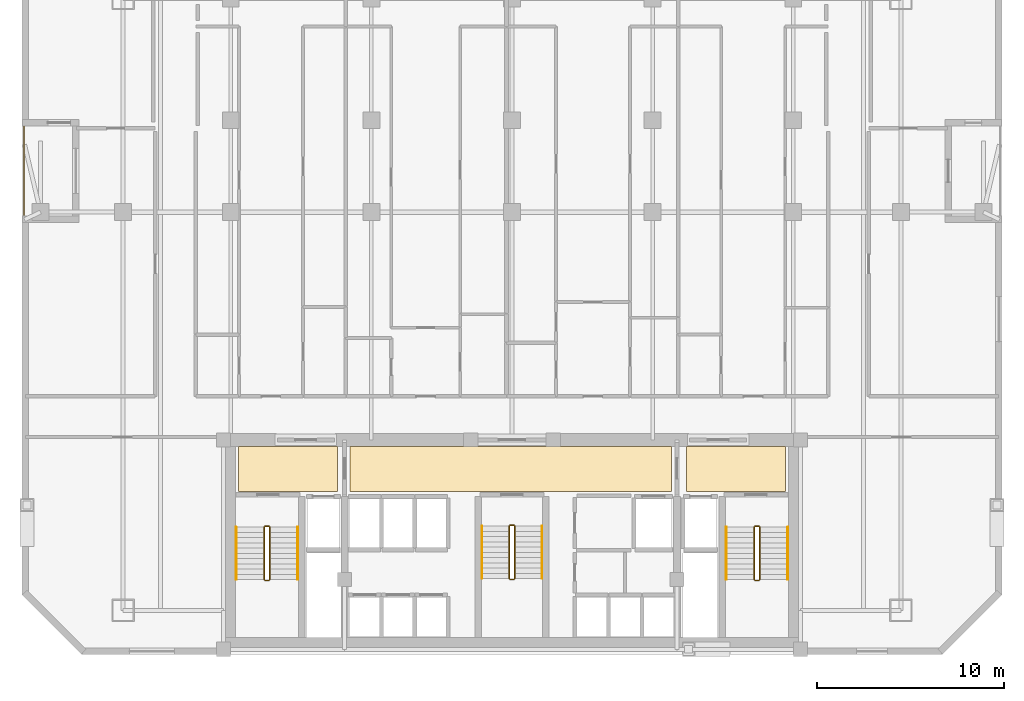
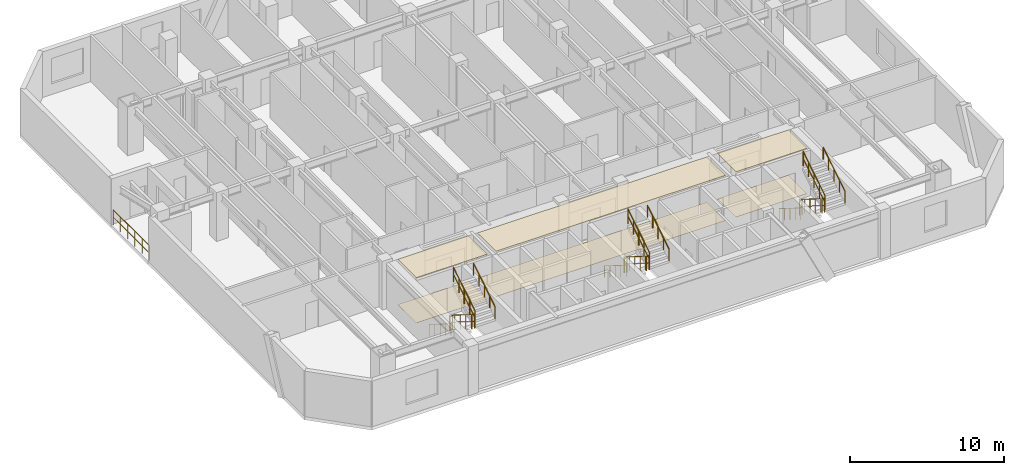
# One storey, part 8 of 9: 19 railings, 6 coverings.
"""IFC4 building model written with IfcOpenShell, lengths in metres."""

from ifc_helpers import new_model, si_unit, direction, frame, origin, origin_2d, place, context, subcontext, project, spatial, polyline, circle, outline, extrude, material, layer, layer_set, type_object, element, save


model = new_model("IFC4")

# Units and contexts
model_context = context("Model", 3, precision=1e-05, world=origin(), true_north=direction((0.0, 1.0)))
body_context = subcontext(model_context, "Body", "Model", "MODEL_VIEW")
ifc_project = project(units=[si_unit("LENGTHUNIT", "METRE"), si_unit("AREAUNIT", "SQUARE_METRE"), si_unit("VOLUMEUNIT", "CUBIC_METRE"), si_unit("PLANEANGLEUNIT", "RADIAN"), si_unit("MASSUNIT", "GRAM", prefix="KILO")], contexts=[model_context])

# Site, building, storey
site_placement = place(None, origin())
site = spatial("IfcSite", under=ifc_project, at=site_placement, CompositionType="ELEMENT")
building_placement = place(site_placement, origin())
building = spatial("IfcBuilding", under=site, at=building_placement, Name="Ventersveld Concourse Tower", CompositionType="ELEMENT")
storey_placement = place(building_placement, frame((0.0, 0.0, 100.300048828125)))
storey = spatial("IfcBuildingStorey", under=building, at=storey_placement, Name="L24", CompositionType="ELEMENT", Elevation=100.300048828125)

# Coverings
ifc_material_1 = material(Name="Mineral-fibre acoustic ceiling tile", Category="gypsum")
ifc_layer_1 = layer(ifc_material_1, 0.0400390625)
ifc_layer_set_1 = layer_set([ifc_layer_1], Name="Mineral-fibre acoustic ceiling tile")
covering_type_1 = type_object("IfcCoveringType", Name="COV-CEIL-ACOUSTIC", PredefinedType="CEILING", material=ifc_layer_set_1)
covering_1_placement = place(storey_placement, frame((0.0, 0.0, 3.56005859375)))
element("IfcCovering", 1, at=covering_1_placement, inside=storey, type_object=covering_type_1, Name="L24 North Lift Lobby Acoustic Ceiling", PredefinedType="CEILING", context=body_context, shape_type="SweptSolid", body=[
    extrude(outline(polyline([(20.10009765625, 8.699951171875), (37.25, 8.699951171875), (37.25, 11.10009765625), (20.10009765625, 11.10009765625), (20.10009765625, 8.699951171875)])), origin(), (0.0, 0.0, 1.0), 0.039794921875),
])
covering_2_placement = place(storey_placement, frame((0.0, 0.0, 3.56005859375)))
element("IfcCovering", 2, at=covering_2_placement, inside=storey, type_object=covering_type_1, Name="L24 West Firefighting Lobby Acoustic Ceiling", PredefinedType="CEILING", context=body_context, shape_type="SweptSolid", body=[
    extrude(outline(polyline([(14.14990234375, 8.699951171875), (19.449951171875, 8.699951171875), (19.449951171875, 11.10009765625), (14.14990234375, 11.10009765625), (14.14990234375, 8.699951171875)])), origin(), (0.0, 0.0, 1.0), 0.039794921875),
])
covering_3_placement = place(storey_placement, frame((0.0, 0.0, 3.56005859375)))
element("IfcCovering", 3, at=covering_3_placement, inside=storey, type_object=covering_type_1, Name="L24 East Firefighting Lobby Acoustic Ceiling", PredefinedType="CEILING", context=body_context, shape_type="SweptSolid", body=[
    extrude(outline(polyline([(38.050048828125, 8.699951171875), (43.35009765625, 8.699951171875), (43.35009765625, 11.10009765625), (38.050048828125, 11.10009765625), (38.050048828125, 8.699951171875)])), origin(), (0.0, 0.0, 1.0), 0.039794921875),
])
ifc_material_2 = material(Name="Polished Highveld granite terrazzo", Category="masonry")
ifc_layer_2 = layer(ifc_material_2, 0.02001953125)
ifc_layer_set_2 = layer_set([ifc_layer_2], Name="Polished Highveld granite terrazzo")
covering_type_2 = type_object("IfcCoveringType", Name="COV-FLOOR-TERRAZZO", PredefinedType="FLOORING", material=ifc_layer_set_2)
covering_4_placement = place(storey_placement, origin())
element("IfcCovering", 4, at=covering_4_placement, inside=storey, type_object=covering_type_2, Name="L24 North Lift Lobby Terrazzo Flooring", PredefinedType="FLOORING", context=body_context, shape_type="SweptSolid", body=[
    extrude(outline(polyline([(20.10009765625, 8.699951171875), (37.25, 8.699951171875), (37.25, 11.10009765625), (20.10009765625, 11.10009765625), (20.10009765625, 8.699951171875)])), origin(), (0.0, 0.0, 1.0), 0.02001953125),
])
covering_5_placement = place(storey_placement, origin())
element("IfcCovering", 5, at=covering_5_placement, inside=storey, type_object=covering_type_2, Name="L24 West Firefighting Lobby Terrazzo Flooring", PredefinedType="FLOORING", context=body_context, shape_type="SweptSolid", body=[
    extrude(outline(polyline([(14.14990234375, 8.699951171875), (19.449951171875, 8.699951171875), (19.449951171875, 11.10009765625), (14.14990234375, 11.10009765625), (14.14990234375, 8.699951171875)])), origin(), (0.0, 0.0, 1.0), 0.02001953125),
])
covering_6_placement = place(storey_placement, origin())
element("IfcCovering", 6, at=covering_6_placement, inside=storey, type_object=covering_type_2, Name="L24 East Firefighting Lobby Terrazzo Flooring", PredefinedType="FLOORING", context=body_context, shape_type="SweptSolid", body=[
    extrude(outline(polyline([(38.050048828125, 8.699951171875), (43.35009765625, 8.699951171875), (43.35009765625, 11.10009765625), (38.050048828125, 11.10009765625), (38.050048828125, 8.699951171875)])), origin(), (0.0, 0.0, 1.0), 0.02001953125),
])

# Railings
ifc_material_3 = material(Name="Brushed stainless steel 316", Category="steel")
railing_type_1 = type_object("IfcRailingType", Name="GD-BAL-115", PredefinedType="GUARDRAIL", material=ifc_material_3)
railing_1_placement = place(storey_placement, frame((15.530029296875, 6.800048828125, 0.175048828125)))
element("IfcRailing", 7, at=railing_1_placement, inside=storey, type_object=railing_type_1, Name="L24 ST-01 stair guard 1", PredefinedType="GUARDRAIL", context=body_context, shape_type="SweptSolid", body=[
    extrude(circle(Radius=0.02392578125, at=origin_2d()), frame((0.0, 0.0, 1.1259765625), z_axis=(0.0, -0.848002457836, 0.529992293815), x_axis=(1.0, 0.0, 0.0)), (0.0, 0.0, 1.0), 3.302001953125),
    extrude(circle(Radius=0.01611328125, at=origin_2d()), frame((0.0, 0.0, 0.574951171875), z_axis=(0.0, -0.848002457836, 0.529992293815), x_axis=(1.0, 0.0, 0.0)), (0.0, 0.0, 1.0), 3.302001953125),
    extrude(circle(Radius=0.02099609375, at=origin_2d()), origin(), (0.0, 0.0, 1.0), 1.101806640625),
    extrude(circle(Radius=0.02099609375, at=origin_2d()), frame((0.0, -0.699951171875, 0.4375)), (0.0, 0.0, 1.0), 1.101806640625),
    extrude(circle(Radius=0.02099609375, at=origin_2d()), frame((0.0, -1.39990234375, 0.875)), (0.0, 0.0, 1.0), 1.101806640625),
    extrude(circle(Radius=0.02099609375, at=origin_2d()), frame((0.0, -2.10009765625, 1.3125)), (0.0, 0.0, 1.0), 1.101806640625),
    extrude(circle(Radius=0.02099609375, at=origin_2d()), frame((0.0, -2.800048828125, 1.75)), (0.0, 0.0, 1.0), 1.101806640625),
])
railing_2_placement = place(storey_placement, frame((15.580078125, 3.949951171875, 1.925048828125)))
element("IfcRailing", 8, at=railing_2_placement, inside=storey, type_object=railing_type_1, Name="L24 ST-01 stair guard 2", PredefinedType="GUARDRAIL", context=body_context, shape_type="SweptSolid", body=[
    extrude(circle(Radius=0.02392578125, at=origin_2d()), frame((0.0, 0.0, 1.1259765625), z_axis=(1.0, 0.0, 0.0), x_axis=(0.0, 1.0, 0.0)), (0.0, 0.0, 1.0), 0.199951171875),
    extrude(circle(Radius=0.01611328125, at=origin_2d()), frame((0.0, 0.0, 0.574951171875), z_axis=(1.0, 0.0, 0.0), x_axis=(0.0, 1.0, 0.0)), (0.0, 0.0, 1.0), 0.199951171875),
    extrude(circle(Radius=0.02099609375, at=origin_2d()), origin(), (0.0, 0.0, 1.0), 1.101806640625),
    extrude(circle(Radius=0.02099609375, at=origin_2d()), frame((0.199951171875, 0.0, 0.0)), (0.0, 0.0, 1.0), 1.101806640625),
])
railing_3_placement = place(storey_placement, frame((15.830078125, 4.0, 2.099853515625)))
element("IfcRailing", 9, at=railing_3_placement, inside=storey, type_object=railing_type_1, Name="L24 ST-01 stair guard 3", PredefinedType="GUARDRAIL", context=body_context, shape_type="SweptSolid", body=[
    extrude(circle(Radius=0.02392578125, at=origin_2d()), frame((0.0, 0.0, 1.1259765625), z_axis=(0.0, 0.848002457836, 0.529992293815), x_axis=(-1.0, 0.0, 0.0)), (0.0, 0.0, 1.0), 3.302001953125),
    extrude(circle(Radius=0.01611328125, at=origin_2d()), frame((0.0, 0.0, 0.574951171875), z_axis=(0.0, 0.848002457836, 0.529992293815), x_axis=(-1.0, 0.0, 0.0)), (0.0, 0.0, 1.0), 3.302001953125),
    extrude(circle(Radius=0.02099609375, at=origin_2d()), origin(), (0.0, 0.0, 1.0), 1.101806640625),
    extrude(circle(Radius=0.02099609375, at=origin_2d()), frame((0.0, 0.699951171875, 0.4375)), (0.0, 0.0, 1.0), 1.101806640625),
    extrude(circle(Radius=0.02099609375, at=origin_2d()), frame((0.0, 1.39990234375, 0.875)), (0.0, 0.0, 1.0), 1.101806640625),
    extrude(circle(Radius=0.02099609375, at=origin_2d()), frame((0.0, 2.10009765625, 1.3125)), (0.0, 0.0, 1.0), 1.101806640625),
    extrude(circle(Radius=0.02099609375, at=origin_2d()), frame((0.0, 2.800048828125, 1.75)), (0.0, 0.0, 1.0), 1.101806640625),
])
railing_4_placement = place(storey_placement, frame((15.580078125, 6.85009765625, 0.0)))
element("IfcRailing", 10, at=railing_4_placement, inside=storey, type_object=railing_type_1, Name="L24 ST-01 stair guard 4", PredefinedType="GUARDRAIL", context=body_context, shape_type="SweptSolid", body=[
    extrude(circle(Radius=0.02392578125, at=origin_2d()), frame((0.0, 0.0, 1.1259765625), z_axis=(1.0, 0.0, 0.0), x_axis=(0.0, 1.0, 0.0)), (0.0, 0.0, 1.0), 0.199951171875),
    extrude(circle(Radius=0.01611328125, at=origin_2d()), frame((0.0, 0.0, 0.574951171875), z_axis=(1.0, 0.0, 0.0), x_axis=(0.0, 1.0, 0.0)), (0.0, 0.0, 1.0), 0.199951171875),
    extrude(circle(Radius=0.02099609375, at=origin_2d()), origin(), (0.0, 0.0, 1.0), 1.101806640625),
    extrude(circle(Radius=0.02099609375, at=origin_2d()), frame((0.199951171875, 0.0, 0.0)), (0.0, 0.0, 1.0), 1.101806640625),
])
railing_5_placement = place(storey_placement, frame((41.669921875, 6.800048828125, 0.175048828125)))
element("IfcRailing", 11, at=railing_5_placement, inside=storey, type_object=railing_type_1, Name="L24 ST-02 stair guard 1", PredefinedType="GUARDRAIL", context=body_context, shape_type="SweptSolid", body=[
    extrude(circle(Radius=0.02392578125, at=origin_2d()), frame((0.0, 0.0, 1.1259765625), z_axis=(0.0, -0.848002457836, 0.529992293815), x_axis=(1.0, 0.0, 0.0)), (0.0, 0.0, 1.0), 3.302001953125),
    extrude(circle(Radius=0.01611328125, at=origin_2d()), frame((0.0, 0.0, 0.574951171875), z_axis=(0.0, -0.848002457836, 0.529992293815), x_axis=(1.0, 0.0, 0.0)), (0.0, 0.0, 1.0), 3.302001953125),
    extrude(circle(Radius=0.02099609375, at=origin_2d()), origin(), (0.0, 0.0, 1.0), 1.101806640625),
    extrude(circle(Radius=0.02099609375, at=origin_2d()), frame((0.0, -0.699951171875, 0.4375)), (0.0, 0.0, 1.0), 1.101806640625),
    extrude(circle(Radius=0.02099609375, at=origin_2d()), frame((0.0, -1.39990234375, 0.875)), (0.0, 0.0, 1.0), 1.101806640625),
    extrude(circle(Radius=0.02099609375, at=origin_2d()), frame((0.0, -2.10009765625, 1.3125)), (0.0, 0.0, 1.0), 1.101806640625),
    extrude(circle(Radius=0.02099609375, at=origin_2d()), frame((0.0, -2.800048828125, 1.75)), (0.0, 0.0, 1.0), 1.101806640625),
])
railing_6_placement = place(storey_placement, frame((41.719970703125, 3.949951171875, 1.925048828125)))
element("IfcRailing", 12, at=railing_6_placement, inside=storey, type_object=railing_type_1, Name="L24 ST-02 stair guard 2", PredefinedType="GUARDRAIL", context=body_context, shape_type="SweptSolid", body=[
    extrude(circle(Radius=0.02392578125, at=origin_2d()), frame((0.0, 0.0, 1.1259765625), z_axis=(1.0, 0.0, 0.0), x_axis=(0.0, 1.0, 0.0)), (0.0, 0.0, 1.0), 0.199951171875),
    extrude(circle(Radius=0.01611328125, at=origin_2d()), frame((0.0, 0.0, 0.574951171875), z_axis=(1.0, 0.0, 0.0), x_axis=(0.0, 1.0, 0.0)), (0.0, 0.0, 1.0), 0.199951171875),
    extrude(circle(Radius=0.02099609375, at=origin_2d()), origin(), (0.0, 0.0, 1.0), 1.101806640625),
    extrude(circle(Radius=0.02099609375, at=origin_2d()), frame((0.199951171875, 0.0, 0.0)), (0.0, 0.0, 1.0), 1.101806640625),
])
railing_7_placement = place(storey_placement, frame((41.969970703125, 4.0, 2.099853515625)))
element("IfcRailing", 13, at=railing_7_placement, inside=storey, type_object=railing_type_1, Name="L24 ST-02 stair guard 3", PredefinedType="GUARDRAIL", context=body_context, shape_type="SweptSolid", body=[
    extrude(circle(Radius=0.02392578125, at=origin_2d()), frame((0.0, 0.0, 1.1259765625), z_axis=(0.0, 0.848002457836, 0.529992293815), x_axis=(-1.0, 0.0, 0.0)), (0.0, 0.0, 1.0), 3.302001953125),
    extrude(circle(Radius=0.01611328125, at=origin_2d()), frame((0.0, 0.0, 0.574951171875), z_axis=(0.0, 0.848002457836, 0.529992293815), x_axis=(-1.0, 0.0, 0.0)), (0.0, 0.0, 1.0), 3.302001953125),
    extrude(circle(Radius=0.02099609375, at=origin_2d()), origin(), (0.0, 0.0, 1.0), 1.101806640625),
    extrude(circle(Radius=0.02099609375, at=origin_2d()), frame((0.0, 0.699951171875, 0.4375)), (0.0, 0.0, 1.0), 1.101806640625),
    extrude(circle(Radius=0.02099609375, at=origin_2d()), frame((0.0, 1.39990234375, 0.875)), (0.0, 0.0, 1.0), 1.101806640625),
    extrude(circle(Radius=0.02099609375, at=origin_2d()), frame((0.0, 2.10009765625, 1.3125)), (0.0, 0.0, 1.0), 1.101806640625),
    extrude(circle(Radius=0.02099609375, at=origin_2d()), frame((0.0, 2.800048828125, 1.75)), (0.0, 0.0, 1.0), 1.101806640625),
])
railing_8_placement = place(storey_placement, frame((41.719970703125, 6.85009765625, 0.0)))
element("IfcRailing", 14, at=railing_8_placement, inside=storey, type_object=railing_type_1, Name="L24 ST-02 stair guard 4", PredefinedType="GUARDRAIL", context=body_context, shape_type="SweptSolid", body=[
    extrude(circle(Radius=0.02392578125, at=origin_2d()), frame((0.0, 0.0, 1.1259765625), z_axis=(1.0, 0.0, 0.0), x_axis=(0.0, 1.0, 0.0)), (0.0, 0.0, 1.0), 0.199951171875),
    extrude(circle(Radius=0.01611328125, at=origin_2d()), frame((0.0, 0.0, 0.574951171875), z_axis=(1.0, 0.0, 0.0), x_axis=(0.0, 1.0, 0.0)), (0.0, 0.0, 1.0), 0.199951171875),
    extrude(circle(Radius=0.02099609375, at=origin_2d()), origin(), (0.0, 0.0, 1.0), 1.101806640625),
    extrude(circle(Radius=0.02099609375, at=origin_2d()), frame((0.199951171875, 0.0, 0.0)), (0.0, 0.0, 1.0), 1.101806640625),
])
railing_9_placement = place(storey_placement, frame((28.60009765625, 6.85009765625, 0.175048828125)))
element("IfcRailing", 15, at=railing_9_placement, inside=storey, type_object=railing_type_1, Name="L24 ST-03 stair guard 1", PredefinedType="GUARDRAIL", context=body_context, shape_type="SweptSolid", body=[
    extrude(circle(Radius=0.02392578125, at=origin_2d()), frame((0.0, 0.0, 1.1259765625), z_axis=(0.0, -0.848002457836, 0.529992293815), x_axis=(1.0, 0.0, 0.0)), (0.0, 0.0, 1.0), 3.302001953125),
    extrude(circle(Radius=0.01611328125, at=origin_2d()), frame((0.0, 0.0, 0.574951171875), z_axis=(0.0, -0.848002457836, 0.529992293815), x_axis=(1.0, 0.0, 0.0)), (0.0, 0.0, 1.0), 3.302001953125),
    extrude(circle(Radius=0.02099609375, at=origin_2d()), origin(), (0.0, 0.0, 1.0), 1.101806640625),
    extrude(circle(Radius=0.02099609375, at=origin_2d()), frame((0.0, -0.699951171875, 0.4375)), (0.0, 0.0, 1.0), 1.101806640625),
    extrude(circle(Radius=0.02099609375, at=origin_2d()), frame((0.0, -1.39990234375, 0.875)), (0.0, 0.0, 1.0), 1.101806640625),
    extrude(circle(Radius=0.02099609375, at=origin_2d()), frame((0.0, -2.10009765625, 1.3125)), (0.0, 0.0, 1.0), 1.101806640625),
    extrude(circle(Radius=0.02099609375, at=origin_2d()), frame((0.0, -2.800048828125, 1.75)), (0.0, 0.0, 1.0), 1.101806640625),
])
railing_10_placement = place(storey_placement, frame((28.64990234375, 4.0, 1.925048828125)))
element("IfcRailing", 16, at=railing_10_placement, inside=storey, type_object=railing_type_1, Name="L24 ST-03 stair guard 2", PredefinedType="GUARDRAIL", context=body_context, shape_type="SweptSolid", body=[
    extrude(circle(Radius=0.02392578125, at=origin_2d()), frame((0.0, 0.0, 1.1259765625), z_axis=(1.0, 0.0, 0.0), x_axis=(0.0, 1.0, 0.0)), (0.0, 0.0, 1.0), 0.2001953125),
    extrude(circle(Radius=0.01611328125, at=origin_2d()), frame((0.0, 0.0, 0.574951171875), z_axis=(1.0, 0.0, 0.0), x_axis=(0.0, 1.0, 0.0)), (0.0, 0.0, 1.0), 0.2001953125),
    extrude(circle(Radius=0.02099609375, at=origin_2d()), origin(), (0.0, 0.0, 1.0), 1.101806640625),
    extrude(circle(Radius=0.02099609375, at=origin_2d()), frame((0.2001953125, 0.0, 0.0)), (0.0, 0.0, 1.0), 1.101806640625),
])
railing_11_placement = place(storey_placement, frame((28.89990234375, 4.050048828125, 2.099853515625)))
element("IfcRailing", 17, at=railing_11_placement, inside=storey, type_object=railing_type_1, Name="L24 ST-03 stair guard 3", PredefinedType="GUARDRAIL", context=body_context, shape_type="SweptSolid", body=[
    extrude(circle(Radius=0.02392578125, at=origin_2d()), frame((0.0, 0.0, 1.1259765625), z_axis=(0.0, 0.848002457836, 0.529992293815), x_axis=(-1.0, 0.0, 0.0)), (0.0, 0.0, 1.0), 3.302001953125),
    extrude(circle(Radius=0.01611328125, at=origin_2d()), frame((0.0, 0.0, 0.574951171875), z_axis=(0.0, 0.848002457836, 0.529992293815), x_axis=(-1.0, 0.0, 0.0)), (0.0, 0.0, 1.0), 3.302001953125),
    extrude(circle(Radius=0.02099609375, at=origin_2d()), origin(), (0.0, 0.0, 1.0), 1.101806640625),
    extrude(circle(Radius=0.02099609375, at=origin_2d()), frame((0.0, 0.699951171875, 0.4375)), (0.0, 0.0, 1.0), 1.101806640625),
    extrude(circle(Radius=0.02099609375, at=origin_2d()), frame((0.0, 1.39990234375, 0.875)), (0.0, 0.0, 1.0), 1.101806640625),
    extrude(circle(Radius=0.02099609375, at=origin_2d()), frame((0.0, 2.10009765625, 1.3125)), (0.0, 0.0, 1.0), 1.101806640625),
    extrude(circle(Radius=0.02099609375, at=origin_2d()), frame((0.0, 2.800048828125, 1.75)), (0.0, 0.0, 1.0), 1.101806640625),
])
railing_12_placement = place(storey_placement, frame((28.64990234375, 6.89990234375, 0.0)))
element("IfcRailing", 18, at=railing_12_placement, inside=storey, type_object=railing_type_1, Name="L24 ST-03 stair guard 4", PredefinedType="GUARDRAIL", context=body_context, shape_type="SweptSolid", body=[
    extrude(circle(Radius=0.02392578125, at=origin_2d()), frame((0.0, 0.0, 1.1259765625), z_axis=(1.0, 0.0, 0.0), x_axis=(0.0, 1.0, 0.0)), (0.0, 0.0, 1.0), 0.2001953125),
    extrude(circle(Radius=0.01611328125, at=origin_2d()), frame((0.0, 0.0, 0.574951171875), z_axis=(1.0, 0.0, 0.0), x_axis=(0.0, 1.0, 0.0)), (0.0, 0.0, 1.0), 0.2001953125),
    extrude(circle(Radius=0.02099609375, at=origin_2d()), origin(), (0.0, 0.0, 1.0), 1.101806640625),
    extrude(circle(Radius=0.02099609375, at=origin_2d()), frame((0.2001953125, 0.0, 0.0)), (0.0, 0.0, 1.0), 1.101806640625),
])
railing_type_2 = type_object("IfcRailingType", Name="GD-TER-120", PredefinedType="GUARDRAIL", material=ifc_material_3)
railing_13_placement = place(storey_placement, frame((2.719970703125, 23.449951171875, 0.0)))
element("IfcRailing", 19, at=railing_13_placement, inside=storey, type_object=railing_type_2, Name="L24 Outdoor Terrace Guardrail NOTCH-W", PredefinedType="GUARDRAIL", context=body_context, shape_type="SweptSolid", body=[
    extrude(circle(Radius=0.02392578125, at=origin_2d()), frame((0.0, 0.0, 1.17578125), z_axis=(0.0, 1.0, 0.0), x_axis=(-1.0, 0.0, 0.0)), (0.0, 0.0, 1.0), 4.699951171875),
    extrude(circle(Radius=0.01611328125, at=origin_2d()), frame((0.0, 0.0, 0.60009765625), z_axis=(0.0, 1.0, 0.0), x_axis=(-1.0, 0.0, 0.0)), (0.0, 0.0, 1.0), 4.699951171875),
    extrude(circle(Radius=0.02099609375, at=origin_2d()), origin(), (0.0, 0.0, 1.0), 1.15185546875),
    extrude(circle(Radius=0.02099609375, at=origin_2d()), frame((0.0, 0.93994140625, 0.0)), (0.0, 0.0, 1.0), 1.15185546875),
    extrude(circle(Radius=0.02099609375, at=origin_2d()), frame((0.0, 1.8798828125, 0.0)), (0.0, 0.0, 1.0), 1.15185546875),
    extrude(circle(Radius=0.02099609375, at=origin_2d()), frame((0.0, 2.820068359375, 0.0)), (0.0, 0.0, 1.0), 1.15185546875),
    extrude(circle(Radius=0.02099609375, at=origin_2d()), frame((0.0, 3.760009765625, 0.0)), (0.0, 0.0, 1.0), 1.15185546875),
    extrude(circle(Radius=0.02099609375, at=origin_2d()), frame((0.0, 4.699951171875, 0.0)), (0.0, 0.0, 1.0), 1.15185546875),
])
railing_type_3 = type_object("IfcRailingType", Name="HR-RMP-095", PredefinedType="HANDRAIL", material=ifc_material_3)
railing_14_placement = place(storey_placement, frame((14.030029296875, 6.800048828125, 0.175048828125)))
element("IfcRailing", 20, at=railing_14_placement, inside=storey, type_object=railing_type_3, Name="L24 ST-01 stair handrail 1", PredefinedType="HANDRAIL", context=body_context, shape_type="SweptSolid", body=[
    extrude(circle(Radius=0.02392578125, at=origin_2d()), frame((0.0, 0.0, 0.92578125), z_axis=(0.0, -0.848002457836, 0.529992293815), x_axis=(1.0, 0.0, 0.0)), (0.0, 0.0, 1.0), 3.302001953125),
    extrude(circle(Radius=0.02099609375, at=origin_2d()), origin(), (0.0, 0.0, 1.0), 0.90185546875),
    extrude(circle(Radius=0.02099609375, at=origin_2d()), frame((0.0, -0.699951171875, 0.4375)), (0.0, 0.0, 1.0), 0.90185546875),
    extrude(circle(Radius=0.02099609375, at=origin_2d()), frame((0.0, -1.39990234375, 0.875)), (0.0, 0.0, 1.0), 0.90185546875),
    extrude(circle(Radius=0.02099609375, at=origin_2d()), frame((0.0, -2.10009765625, 1.3125)), (0.0, 0.0, 1.0), 0.90185546875),
    extrude(circle(Radius=0.02099609375, at=origin_2d()), frame((0.0, -2.800048828125, 1.75)), (0.0, 0.0, 1.0), 0.90185546875),
])
railing_15_placement = place(storey_placement, frame((17.330078125, 4.0, 2.099853515625)))
element("IfcRailing", 21, at=railing_15_placement, inside=storey, type_object=railing_type_3, Name="L24 ST-01 stair handrail 2", PredefinedType="HANDRAIL", context=body_context, shape_type="SweptSolid", body=[
    extrude(circle(Radius=0.02392578125, at=origin_2d()), frame((0.0, 0.0, 0.92578125), z_axis=(0.0, 0.848002457836, 0.529992293815), x_axis=(-1.0, 0.0, 0.0)), (0.0, 0.0, 1.0), 3.302001953125),
    extrude(circle(Radius=0.02099609375, at=origin_2d()), origin(), (0.0, 0.0, 1.0), 0.90185546875),
    extrude(circle(Radius=0.02099609375, at=origin_2d()), frame((0.0, 0.699951171875, 0.4375)), (0.0, 0.0, 1.0), 0.90185546875),
    extrude(circle(Radius=0.02099609375, at=origin_2d()), frame((0.0, 1.39990234375, 0.875)), (0.0, 0.0, 1.0), 0.90185546875),
    extrude(circle(Radius=0.02099609375, at=origin_2d()), frame((0.0, 2.10009765625, 1.3125)), (0.0, 0.0, 1.0), 0.90185546875),
    extrude(circle(Radius=0.02099609375, at=origin_2d()), frame((0.0, 2.800048828125, 1.75)), (0.0, 0.0, 1.0), 0.90185546875),
])
railing_16_placement = place(storey_placement, frame((40.169921875, 6.800048828125, 0.175048828125)))
element("IfcRailing", 22, at=railing_16_placement, inside=storey, type_object=railing_type_3, Name="L24 ST-02 stair handrail 1", PredefinedType="HANDRAIL", context=body_context, shape_type="SweptSolid", body=[
    extrude(circle(Radius=0.02392578125, at=origin_2d()), frame((0.0, 0.0, 0.92578125), z_axis=(0.0, -0.848002457836, 0.529992293815), x_axis=(1.0, 0.0, 0.0)), (0.0, 0.0, 1.0), 3.302001953125),
    extrude(circle(Radius=0.02099609375, at=origin_2d()), origin(), (0.0, 0.0, 1.0), 0.90185546875),
    extrude(circle(Radius=0.02099609375, at=origin_2d()), frame((0.0, -0.699951171875, 0.4375)), (0.0, 0.0, 1.0), 0.90185546875),
    extrude(circle(Radius=0.02099609375, at=origin_2d()), frame((0.0, -1.39990234375, 0.875)), (0.0, 0.0, 1.0), 0.90185546875),
    extrude(circle(Radius=0.02099609375, at=origin_2d()), frame((0.0, -2.10009765625, 1.3125)), (0.0, 0.0, 1.0), 0.90185546875),
    extrude(circle(Radius=0.02099609375, at=origin_2d()), frame((0.0, -2.800048828125, 1.75)), (0.0, 0.0, 1.0), 0.90185546875),
])
railing_17_placement = place(storey_placement, frame((43.469970703125, 4.0, 2.099853515625)))
element("IfcRailing", 23, at=railing_17_placement, inside=storey, type_object=railing_type_3, Name="L24 ST-02 stair handrail 2", PredefinedType="HANDRAIL", context=body_context, shape_type="SweptSolid", body=[
    extrude(circle(Radius=0.02392578125, at=origin_2d()), frame((0.0, 0.0, 0.92578125), z_axis=(0.0, 0.848002457836, 0.529992293815), x_axis=(-1.0, 0.0, 0.0)), (0.0, 0.0, 1.0), 3.302001953125),
    extrude(circle(Radius=0.02099609375, at=origin_2d()), origin(), (0.0, 0.0, 1.0), 0.90185546875),
    extrude(circle(Radius=0.02099609375, at=origin_2d()), frame((0.0, 0.699951171875, 0.4375)), (0.0, 0.0, 1.0), 0.90185546875),
    extrude(circle(Radius=0.02099609375, at=origin_2d()), frame((0.0, 1.39990234375, 0.875)), (0.0, 0.0, 1.0), 0.90185546875),
    extrude(circle(Radius=0.02099609375, at=origin_2d()), frame((0.0, 2.10009765625, 1.3125)), (0.0, 0.0, 1.0), 0.90185546875),
    extrude(circle(Radius=0.02099609375, at=origin_2d()), frame((0.0, 2.800048828125, 1.75)), (0.0, 0.0, 1.0), 0.90185546875),
])
railing_18_placement = place(storey_placement, frame((27.14990234375, 6.85009765625, 0.175048828125)))
element("IfcRailing", 24, at=railing_18_placement, inside=storey, type_object=railing_type_3, Name="L24 ST-03 stair handrail 1", PredefinedType="HANDRAIL", context=body_context, shape_type="SweptSolid", body=[
    extrude(circle(Radius=0.02392578125, at=origin_2d()), frame((0.0, 0.0, 0.92578125), z_axis=(0.0, -0.848002457836, 0.529992293815), x_axis=(1.0, 0.0, 0.0)), (0.0, 0.0, 1.0), 3.302001953125),
    extrude(circle(Radius=0.02099609375, at=origin_2d()), origin(), (0.0, 0.0, 1.0), 0.90185546875),
    extrude(circle(Radius=0.02099609375, at=origin_2d()), frame((0.0, -0.699951171875, 0.4375)), (0.0, 0.0, 1.0), 0.90185546875),
    extrude(circle(Radius=0.02099609375, at=origin_2d()), frame((0.0, -1.39990234375, 0.875)), (0.0, 0.0, 1.0), 0.90185546875),
    extrude(circle(Radius=0.02099609375, at=origin_2d()), frame((0.0, -2.10009765625, 1.3125)), (0.0, 0.0, 1.0), 0.90185546875),
    extrude(circle(Radius=0.02099609375, at=origin_2d()), frame((0.0, -2.800048828125, 1.75)), (0.0, 0.0, 1.0), 0.90185546875),
])
railing_19_placement = place(storey_placement, frame((30.35009765625, 4.050048828125, 2.099853515625)))
element("IfcRailing", 25, at=railing_19_placement, inside=storey, type_object=railing_type_3, Name="L24 ST-03 stair handrail 2", PredefinedType="HANDRAIL", context=body_context, shape_type="SweptSolid", body=[
    extrude(circle(Radius=0.02392578125, at=origin_2d()), frame((0.0, 0.0, 0.92578125), z_axis=(0.0, 0.848002457836, 0.529992293815), x_axis=(-1.0, 0.0, 0.0)), (0.0, 0.0, 1.0), 3.302001953125),
    extrude(circle(Radius=0.02099609375, at=origin_2d()), origin(), (0.0, 0.0, 1.0), 0.90185546875),
    extrude(circle(Radius=0.02099609375, at=origin_2d()), frame((0.0, 0.699951171875, 0.4375)), (0.0, 0.0, 1.0), 0.90185546875),
    extrude(circle(Radius=0.02099609375, at=origin_2d()), frame((0.0, 1.39990234375, 0.875)), (0.0, 0.0, 1.0), 0.90185546875),
    extrude(circle(Radius=0.02099609375, at=origin_2d()), frame((0.0, 2.10009765625, 1.3125)), (0.0, 0.0, 1.0), 0.90185546875),
    extrude(circle(Radius=0.02099609375, at=origin_2d()), frame((0.0, 2.800048828125, 1.75)), (0.0, 0.0, 1.0), 0.90185546875),
])

save(model, "model.ifc")
